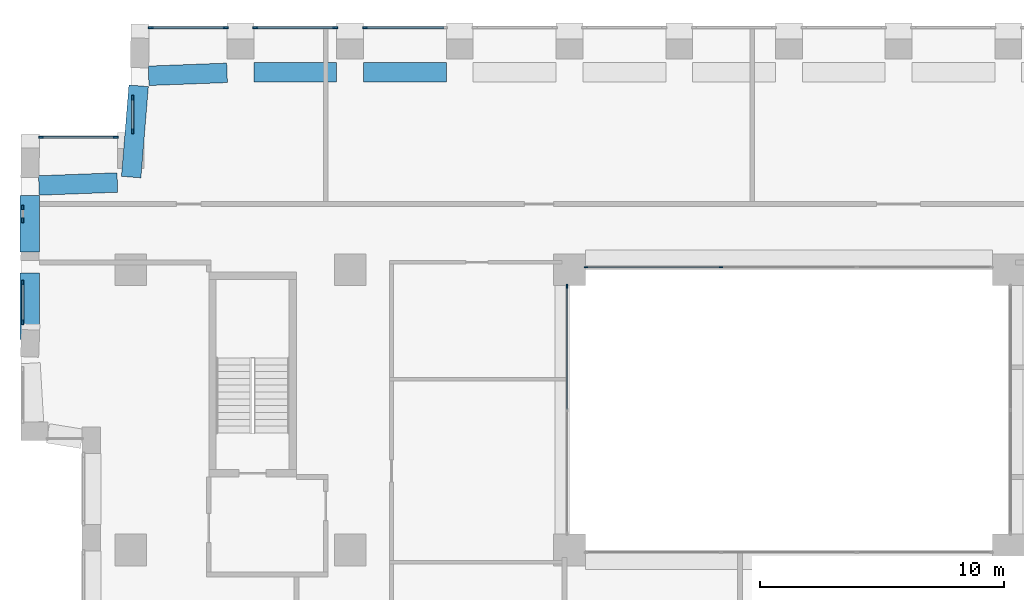
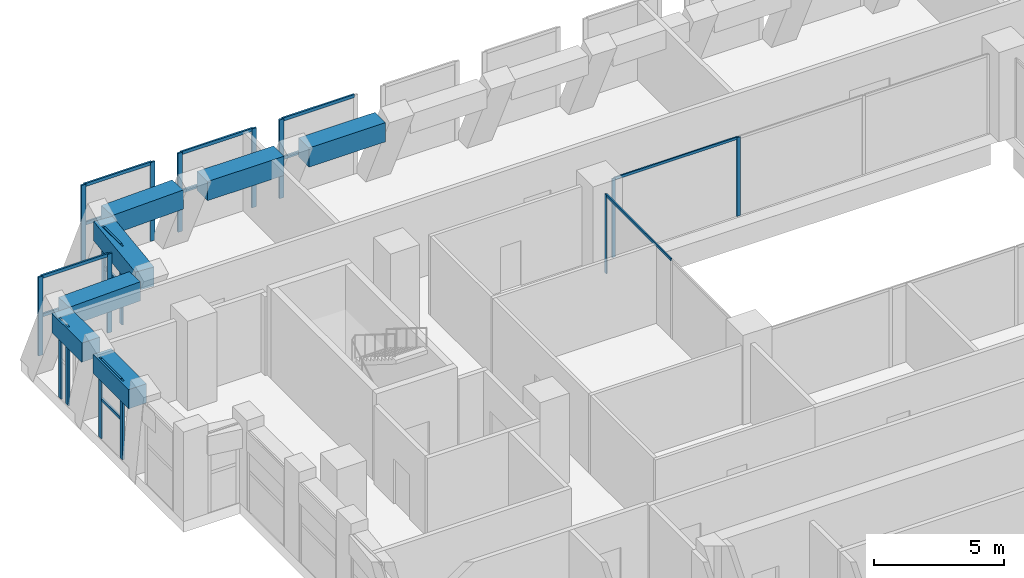
# One storey, part 7 of 20: 30 members, 7 beams, 9 elements without a shape of their own.
"""IFC4 building model written with IfcOpenShell, lengths in metres."""

from ifc_helpers import new_model, si_unit, direction, frame, origin, origin_2d, place, context, subcontext, project, spatial, rectangle, extrude, material, layer, layer_set, material_profile, profile_set, type_object, element, aggregate, save


model = new_model("IFC4")

# Units and contexts
model_context = context("Model", 3, precision=1e-05, world=origin(), true_north=direction((0.0, 1.0)))
body_context = subcontext(model_context, "Body", "Model", "MODEL_VIEW")
ifc_project = project(units=[si_unit("LENGTHUNIT", "METRE"), si_unit("AREAUNIT", "SQUARE_METRE"), si_unit("VOLUMEUNIT", "CUBIC_METRE"), si_unit("PLANEANGLEUNIT", "RADIAN"), si_unit("MASSUNIT", "GRAM", prefix="KILO")], contexts=[model_context])

# Site, building, storey
site_placement = place(None, origin())
site = spatial("IfcSite", under=ifc_project, at=site_placement, CompositionType="ELEMENT")
building_placement = place(site_placement, origin())
building = spatial("IfcBuilding", under=site, at=building_placement, Name="Brigalow Station Residences", CompositionType="ELEMENT")
storey_placement = place(building_placement, frame((0.0, 0.0, 137.10009765625)))
storey = spatial("IfcBuildingStorey", under=building, at=storey_placement, Name="L39", CompositionType="ELEMENT", Elevation=137.10009765625)

# Curtain wall, members
ifc_material_1 = material(Name="Aluminium", Category="aluminium")
ifc_layer_1 = layer(ifc_material_1, 0.14990234375)
ifc_layer_set_1 = layer_set([ifc_layer_1], Name="ATRIUM FIRE-RATED GLAZING CURTAIN WALL")
curtain_wall_type_1 = type_object("IfcCurtainWallType", Name="ATRIUM FIRE-RATED GLAZING CURTAIN WALL", PredefinedType="NOTDEFINED", material=ifc_layer_set_1)
curtain_wall_1_placement = place(storey_placement, origin())
curtain_wall_1 = element("IfcCurtainWall", 1, at=curtain_wall_1_placement, inside=storey, type_object=curtain_wall_type_1, Name="L39/cw/atrium-N", PredefinedType="NOTDEFINED")
ifc_material_2 = material(Name="Aluminium", Category="aluminium")
ifc_material_profile_1 = material_profile(ifc_material_2, rectangle(XDim=0.06005859375, YDim=0.14990234375, at=origin_2d()), Name="ATRIUM FIRE-RATED GLAZING MULLION 60x150")
ifc_profile_set_1 = profile_set([ifc_material_profile_1], Name="Aluminium")
member_type_1 = type_object("IfcMemberType", Name="ATRIUM FIRE-RATED GLAZING MULLION 60x150", PredefinedType="MULLION", material=ifc_profile_set_1)
member_1_placement = place(storey_placement, frame((33.216796875, 35.60009765625, 0.0), z_axis=(0.0, 0.0, 1.0), x_axis=(0.0, -1.0, 0.0)))
member_1 = element("IfcMember", 2, at=member_1_placement, type_object=member_type_1, Name="L39/cw/atrium-N/M02", PredefinedType="MULLION", context=body_context, shape_type="SweptSolid", body=[
    extrude(rectangle(XDim=0.06005859375, YDim=0.14990234375, at=origin_2d()), origin(), (0.0, 0.0, 1.0), 3.699951171875),
])
member_2_placement = place(storey_placement, frame((27.679931640625, 35.60009765625, 0.0), z_axis=(0.0, 0.0, 1.0), x_axis=(0.0, -1.0, 0.0)))
member_2 = element("IfcMember", 3, at=member_2_placement, type_object=member_type_1, Name="L39/cw/atrium-N/M03", PredefinedType="MULLION", context=body_context, shape_type="SweptSolid", body=[
    extrude(rectangle(XDim=0.06005859375, YDim=0.14990234375, at=origin_2d()), origin(), (0.0, 0.0, 1.0), 3.699951171875),
])

# Curtain wall, member
curtain_wall_2_placement = place(storey_placement, origin())
curtain_wall_2 = element("IfcCurtainWall", 4, at=curtain_wall_2_placement, inside=storey, type_object=curtain_wall_type_1, Name="L39/cw/atrium-W", PredefinedType="NOTDEFINED")
member_3_placement = place(storey_placement, frame((26.89990234375, 34.820068359375, 0.0), z_axis=(0.0, 0.0, 1.0), x_axis=(1.0, 0.0, 0.0)))
member_3 = element("IfcMember", 5, at=member_3_placement, type_object=member_type_1, Name="L39/cw/atrium-W/M00", PredefinedType="MULLION", context=body_context, shape_type="SweptSolid", body=[
    extrude(rectangle(XDim=0.06005859375, YDim=0.14990234375, at=origin_2d()), origin(), (0.0, 0.0, 1.0), 3.699951171875),
])

# Member
ifc_material_3 = material(Name="Aluminium", Category="aluminium")
ifc_material_profile_2 = material_profile(ifc_material_3, rectangle(XDim=0.06005859375, YDim=0.1201171875, at=origin_2d()), Name="ATRIUM FIRE-RATED GLAZING TRANSOM 60x120")
ifc_profile_set_2 = profile_set([ifc_material_profile_2], Name="Aluminium")
member_type_2 = type_object("IfcMemberType", Name="ATRIUM FIRE-RATED GLAZING TRANSOM 60x120", PredefinedType="USERDEFINED", material=ifc_profile_set_2)
member_4_placement = place(storey_placement, frame((33.186767578125, 35.60009765625, 3.669921875), z_axis=(-1.0, 0.0, 0.0), x_axis=(0.0, -1.0, 0.0)))
member_4 = element("IfcMember", 6, at=member_4_placement, type_object=member_type_2, Name="L39/cw/atrium-N/T02-00", ObjectType="TRANSOM", PredefinedType="USERDEFINED", context=body_context, shape_type="SweptSolid", body=[
    extrude(rectangle(XDim=0.06005859375, YDim=0.1201171875, at=origin_2d()), origin(), (0.0, 0.0, 1.0), 5.476806640625),
])

aggregate(curtain_wall_1, [member_1, member_2, member_4])

member_5_placement = place(storey_placement, frame((26.89990234375, 34.7900390625, 3.669921875), z_axis=(0.0, -1.0, 0.0), x_axis=(1.0, 0.0, 0.0)))
member_5 = element("IfcMember", 7, at=member_5_placement, type_object=member_type_2, Name="L39/cw/atrium-W/T00-00", ObjectType="TRANSOM", PredefinedType="USERDEFINED", context=body_context, shape_type="SweptSolid", body=[
    extrude(rectangle(XDim=0.06005859375, YDim=0.1201171875, at=origin_2d()), origin(), (0.0, 0.0, 1.0), 5.010009765625),
])

aggregate(curtain_wall_2, [member_3, member_5])

# Beams
ifc_material_4 = material(Name="Concrete C65", Category="concrete")
ifc_material_profile_3 = material_profile(ifc_material_4, rectangle(XDim=0.800048828125, YDim=0.89990234375, at=origin_2d()), Name="RC800x900")
ifc_profile_set_3 = profile_set([ifc_material_profile_3], Name="Concrete C65")
beam_type = type_object("IfcBeamType", Name="KINK TIE BEAM 800x900 C65", PredefinedType="BEAM", material=ifc_profile_set_3)
for number, where, z_axis, x_axis, name in (
    (8, (21.949951171875, 43.5966796875, 3.25), (-1.0, 0.0, 0.0), (0.0, -1.0, 0.0), "KINK TIE BEAM 29 L39"),
    (9, (17.449951171875, 43.5966796875, 3.25), (-1.0, 0.0, 0.0), (0.0, -1.0, 0.0), "KINK TIE BEAM 30 L39"),
):
    element("IfcBeam", number, at=place(storey_placement, frame(where, z_axis=z_axis, x_axis=x_axis)), inside=storey, type_object=beam_type, Name=name, PredefinedType="BEAM", context=body_context, shape_type="SweptSolid", body=[
        extrude(rectangle(XDim=0.800048828125, YDim=0.89990234375, at=origin_2d()), origin(), (0.0, 0.0, 1.0), 3.39990234375),
    ])
beam_1_placement = place(storey_placement, frame((12.949951171875, 43.576171875, 3.25), z_axis=(-0.999293174119, -0.037591916144, 0.0), x_axis=(0.037591916144, -0.999293174119, 0.0)))
element("IfcBeam", 10, at=beam_1_placement, inside=storey, type_object=beam_type, Name="KINK TIE BEAM 31 L39", PredefinedType="BEAM", context=body_context, shape_type="SweptSolid", body=[
    extrude(rectangle(XDim=0.800048828125, YDim=0.89990234375, at=origin_2d()), origin(), (0.0, 0.0, 1.0), 3.22119140625),
])
beam_2_placement = place(storey_placement, frame((9.3232421875, 43.0439453125, 3.25), z_axis=(-0.081620223015, -0.996663503493, 0.0), x_axis=(0.996663503493, -0.081620223015, 0.0)))
element("IfcBeam", 11, at=beam_2_placement, inside=storey, type_object=beam_type, Name="KINK TIE BEAM 32 L39", PredefinedType="BEAM", context=body_context, shape_type="SweptSolid", body=[
    extrude(rectangle(XDim=0.800048828125, YDim=0.89990234375, at=origin_2d()), origin(), (0.0, 0.0, 1.0), 3.7568359375),
])
beam_3_placement = place(storey_placement, frame((8.449951171875, 39.076171875, 3.25), z_axis=(-0.999293174119, -0.037591916144, 0.0), x_axis=(0.037591916144, -0.999293174119, 0.0)))
element("IfcBeam", 12, at=beam_3_placement, inside=storey, type_object=beam_type, Name="KINK TIE BEAM 33 L39", PredefinedType="BEAM", context=body_context, shape_type="SweptSolid", body=[
    extrude(rectangle(XDim=0.800048828125, YDim=0.89990234375, at=origin_2d()), origin(), (0.0, 0.0, 1.0), 3.22119140625),
])
beam_4_placement = place(storey_placement, frame((4.855712890625, 38.543701171875, 3.25), z_axis=(0.0, -1.0, 0.0), x_axis=(1.0, 0.0, 0.0)))
element("IfcBeam", 13, at=beam_4_placement, inside=storey, type_object=beam_type, Name="KINK TIE BEAM 34 L39", PredefinedType="BEAM", context=body_context, shape_type="SweptSolid", body=[
    extrude(rectangle(XDim=0.800048828125, YDim=0.89990234375, at=origin_2d()), origin(), (0.0, 0.0, 1.0), 2.30810546875),
])
beam_5_placement = place(storey_placement, frame((4.855712890625, 35.3671875, 3.25), z_axis=(0.0, -1.0, 0.0), x_axis=(1.0, 0.0, 0.0)))
element("IfcBeam", 14, at=beam_5_placement, inside=storey, type_object=beam_type, Name="KINK TIE BEAM 35 L39", PredefinedType="BEAM", context=body_context, shape_type="SweptSolid", body=[
    extrude(rectangle(XDim=0.800048828125, YDim=0.89990234375, at=origin_2d()), origin(), (0.0, 0.0, 1.0), 2.73046875),
])

# Curtain wall, member
ifc_material_5 = material(Name="Aluminium", Category="aluminium")
ifc_layer_2 = layer(ifc_material_5, 0.199951171875)
ifc_layer_set_2 = layer_set([ifc_layer_2], Name="REFUGE FLOOR LOUVRE CURTAIN WALL")
curtain_wall_type_2 = type_object("IfcCurtainWallType", Name="REFUGE FLOOR LOUVRE CURTAIN WALL", PredefinedType="NOTDEFINED", material=ifc_layer_set_2)
curtain_wall_3_placement = place(storey_placement, origin())
curtain_wall_3 = element("IfcCurtainWall", 15, at=curtain_wall_3_placement, inside=storey, type_object=curtain_wall_type_2, Name="L39/cw/louvre-W-L39-23-31", PredefinedType="NOTDEFINED")
ifc_material_6 = material(Name="Aluminium", Category="aluminium")
ifc_material_profile_4 = material_profile(ifc_material_6, rectangle(XDim=0.080078125, YDim=0.199951171875, at=origin_2d()), Name="REFUGE FLOOR LOUVRE MULLION 80x200")
ifc_profile_set_4 = profile_set([ifc_material_profile_4], Name="Aluminium")
member_type_3 = type_object("IfcMemberType", Name="REFUGE FLOOR LOUVRE MULLION 80x200", PredefinedType="MULLION", material=ifc_profile_set_4)
member_6_placement = place(storey_placement, frame((18.610107421875, 45.425048828125, 0.0), z_axis=(0.0, 0.0, 1.0), x_axis=(0.0, -1.0, 0.0)))
member_6 = element("IfcMember", 16, at=member_6_placement, type_object=member_type_3, Name="L39/cw/louvre-W-L39-23-31/M01", PredefinedType="MULLION", context=body_context, shape_type="SweptSolid", body=[
    extrude(rectangle(XDim=0.080078125, YDim=0.199951171875, at=origin_2d()), origin(), (0.0, 0.0, 1.0), 3.699951171875),
])

# Curtain wall, members
curtain_wall_4_placement = place(storey_placement, origin())
curtain_wall_4 = element("IfcCurtainWall", 17, at=curtain_wall_4_placement, inside=storey, type_object=curtain_wall_type_2, Name="L39/cw/louvre-W-L39-23-32", PredefinedType="NOTDEFINED")
member_7_placement = place(storey_placement, frame((17.389892578125, 45.425048828125, 0.0), z_axis=(0.0, 0.0, 1.0), x_axis=(0.0, -1.0, 0.0)))
member_7 = element("IfcMember", 18, at=member_7_placement, type_object=member_type_3, Name="L39/cw/louvre-W-L39-23-32/M00", PredefinedType="MULLION", context=body_context, shape_type="SweptSolid", body=[
    extrude(rectangle(XDim=0.080078125, YDim=0.199951171875, at=origin_2d()), origin(), (0.0, 0.0, 1.0), 3.699951171875),
])
member_8_placement = place(storey_placement, frame((14.110107421875, 45.425048828125, 0.0), z_axis=(0.0, 0.0, 1.0), x_axis=(0.0, -1.0, 0.0)))
member_8 = element("IfcMember", 19, at=member_8_placement, type_object=member_type_3, Name="L39/cw/louvre-W-L39-23-32/M01", PredefinedType="MULLION", context=body_context, shape_type="SweptSolid", body=[
    extrude(rectangle(XDim=0.080078125, YDim=0.199951171875, at=origin_2d()), origin(), (0.0, 0.0, 1.0), 3.699951171875),
])

curtain_wall_5_placement = place(storey_placement, origin())
curtain_wall_5 = element("IfcCurtainWall", 20, at=curtain_wall_5_placement, inside=storey, type_object=curtain_wall_type_2, Name="L39/cw/louvre-W-L39-23-33", PredefinedType="NOTDEFINED")
member_9_placement = place(storey_placement, frame((12.889892578125, 45.425048828125, 0.0), z_axis=(0.0, 0.0, 1.0), x_axis=(0.0, -1.0, 0.0)))
member_9 = element("IfcMember", 21, at=member_9_placement, type_object=member_type_3, Name="L39/cw/louvre-W-L39-23-33/M00", PredefinedType="MULLION", context=body_context, shape_type="SweptSolid", body=[
    extrude(rectangle(XDim=0.080078125, YDim=0.199951171875, at=origin_2d()), origin(), (0.0, 0.0, 1.0), 3.699951171875),
])
member_10_placement = place(storey_placement, frame((9.816162109375, 45.425048828125, 0.0), z_axis=(0.0, 0.0, 1.0), x_axis=(0.0, -1.0, 0.0)))
member_10 = element("IfcMember", 22, at=member_10_placement, type_object=member_type_3, Name="L39/cw/louvre-W-L39-23-33/M01", PredefinedType="MULLION", context=body_context, shape_type="SweptSolid", body=[
    extrude(rectangle(XDim=0.080078125, YDim=0.199951171875, at=origin_2d()), origin(), (0.0, 0.0, 1.0), 3.699951171875),
])

curtain_wall_6_placement = place(storey_placement, origin())
curtain_wall_6 = element("IfcCurtainWall", 23, at=curtain_wall_6_placement, inside=storey, type_object=curtain_wall_type_2, Name="L39/cw/louvre-W-L39-37-34", PredefinedType="NOTDEFINED")
member_11_placement = place(storey_placement, frame((9.074951171875, 42.55322265625, 0.0), z_axis=(0.0, 0.0, 1.0), x_axis=(1.0, 0.0, 0.0)))
member_11 = element("IfcMember", 24, at=member_11_placement, type_object=member_type_3, Name="L39/cw/louvre-W-L39-37-34/M00", PredefinedType="MULLION", context=body_context, shape_type="SweptSolid", body=[
    extrude(rectangle(XDim=0.080078125, YDim=0.199951171875, at=origin_2d()), origin(), (0.0, 0.0, 1.0), 3.699951171875),
])
member_12_placement = place(storey_placement, frame((9.074951171875, 41.18359375, 0.0), z_axis=(0.0, 0.0, 1.0), x_axis=(1.0, 0.0, 0.0)))
member_12 = element("IfcMember", 25, at=member_12_placement, type_object=member_type_3, Name="L39/cw/louvre-W-L39-37-34/M01", PredefinedType="MULLION", context=body_context, shape_type="SweptSolid", body=[
    extrude(rectangle(XDim=0.080078125, YDim=0.199951171875, at=origin_2d()), origin(), (0.0, 0.0, 1.0), 3.699951171875),
])

curtain_wall_7_placement = place(storey_placement, origin())
curtain_wall_7 = element("IfcCurtainWall", 26, at=curtain_wall_7_placement, inside=storey, type_object=curtain_wall_type_2, Name="L39/cw/louvre-W-L39-38-35", PredefinedType="NOTDEFINED")
member_13_placement = place(storey_placement, frame((8.389892578125, 40.925048828125, 0.0), z_axis=(0.0, 0.0, 1.0), x_axis=(0.0, -1.0, 0.0)))
member_13 = element("IfcMember", 27, at=member_13_placement, type_object=member_type_3, Name="L39/cw/louvre-W-L39-38-35/M00", PredefinedType="MULLION", context=body_context, shape_type="SweptSolid", body=[
    extrude(rectangle(XDim=0.080078125, YDim=0.199951171875, at=origin_2d()), origin(), (0.0, 0.0, 1.0), 3.699951171875),
])
member_14_placement = place(storey_placement, frame((5.316162109375, 40.925048828125, 0.0), z_axis=(0.0, 0.0, 1.0), x_axis=(0.0, -1.0, 0.0)))
member_14 = element("IfcMember", 28, at=member_14_placement, type_object=member_type_3, Name="L39/cw/louvre-W-L39-38-35/M01", PredefinedType="MULLION", context=body_context, shape_type="SweptSolid", body=[
    extrude(rectangle(XDim=0.080078125, YDim=0.199951171875, at=origin_2d()), origin(), (0.0, 0.0, 1.0), 3.699951171875),
])

curtain_wall_8_placement = place(storey_placement, origin())
curtain_wall_8 = element("IfcCurtainWall", 29, at=curtain_wall_8_placement, inside=storey, type_object=curtain_wall_type_2, Name="L39/cw/louvre-W-L39-39-36", PredefinedType="NOTDEFINED")
member_15_placement = place(storey_placement, frame((4.574951171875, 38.05322265625, 0.0), z_axis=(0.0, 0.0, 1.0), x_axis=(1.0, 0.0, 0.0)))
member_15 = element("IfcMember", 30, at=member_15_placement, type_object=member_type_3, Name="L39/cw/louvre-W-L39-39-36/M00", PredefinedType="MULLION", context=body_context, shape_type="SweptSolid", body=[
    extrude(rectangle(XDim=0.080078125, YDim=0.199951171875, at=origin_2d()), origin(), (0.0, 0.0, 1.0), 3.699951171875),
])
member_16_placement = place(storey_placement, frame((4.574951171875, 37.5283203125, 0.0), z_axis=(0.0, 0.0, 1.0), x_axis=(1.0, 0.0, 0.0)))
member_16 = element("IfcMember", 31, at=member_16_placement, type_object=member_type_3, Name="L39/cw/louvre-W-L39-39-36/M01", PredefinedType="MULLION", context=body_context, shape_type="SweptSolid", body=[
    extrude(rectangle(XDim=0.080078125, YDim=0.199951171875, at=origin_2d()), origin(), (0.0, 0.0, 1.0), 3.699951171875),
])
aggregate(curtain_wall_8, [member_15, member_16])

curtain_wall_9_placement = place(storey_placement, origin())
curtain_wall_9 = element("IfcCurtainWall", 32, at=curtain_wall_9_placement, inside=storey, type_object=curtain_wall_type_2, Name="L39/cw/louvre-W-L39-39-37", PredefinedType="NOTDEFINED")
member_17_placement = place(storey_placement, frame((4.574951171875, 34.974365234375, 0.0), z_axis=(0.0, 0.0, 1.0), x_axis=(1.0, 0.0, 0.0)))
member_17 = element("IfcMember", 33, at=member_17_placement, type_object=member_type_3, Name="L39/cw/louvre-W-L39-39-37/M00", PredefinedType="MULLION", context=body_context, shape_type="SweptSolid", body=[
    extrude(rectangle(XDim=0.080078125, YDim=0.199951171875, at=origin_2d()), origin(), (0.0, 0.0, 1.0), 3.699951171875),
])
member_18_placement = place(storey_placement, frame((4.574951171875, 33.347412109375, 0.0), z_axis=(0.0, 0.0, 1.0), x_axis=(1.0, 0.0, 0.0)))
member_18 = element("IfcMember", 34, at=member_18_placement, type_object=member_type_3, Name="L39/cw/louvre-W-L39-39-37/M01", PredefinedType="MULLION", context=body_context, shape_type="SweptSolid", body=[
    extrude(rectangle(XDim=0.080078125, YDim=0.199951171875, at=origin_2d()), origin(), (0.0, 0.0, 1.0), 3.699951171875),
])

# Member
ifc_material_7 = material(Name="Aluminium", Category="aluminium")
ifc_material_profile_5 = material_profile(ifc_material_7, rectangle(XDim=0.080078125, YDim=0.14990234375, at=origin_2d()), Name="REFUGE FLOOR LOUVRE TRANSOM 80x150")
ifc_profile_set_5 = profile_set([ifc_material_profile_5], Name="Aluminium")
member_type_4 = type_object("IfcMemberType", Name="REFUGE FLOOR LOUVRE TRANSOM 80x150", PredefinedType="USERDEFINED", material=ifc_profile_set_5)
member_19_placement = place(storey_placement, frame((21.85009765625, 45.425048828125, 1.849853515625), z_axis=(-1.0, 0.0, 0.0), x_axis=(0.0, -1.0, 0.0)))
member_19 = element("IfcMember", 35, at=member_19_placement, type_object=member_type_4, Name="L39/cw/louvre-W-L39-23-31/T00-00", ObjectType="TRANSOM", PredefinedType="USERDEFINED", context=body_context, shape_type="SweptSolid", body=[
    extrude(rectangle(XDim=0.080078125, YDim=0.14990234375, at=origin_2d()), origin(), (0.0, 0.0, 1.0), 3.2001953125),
])

member_20_placement = place(storey_placement, frame((21.85009765625, 45.425048828125, 3.659912109375), z_axis=(-1.0, 0.0, 0.0), x_axis=(0.0, -1.0, 0.0)))
member_20 = element("IfcMember", 36, at=member_20_placement, type_object=member_type_4, Name="L39/cw/louvre-W-L39-23-31/T00-01", ObjectType="TRANSOM", PredefinedType="USERDEFINED", context=body_context, shape_type="SweptSolid", body=[
    extrude(rectangle(XDim=0.080078125, YDim=0.14990234375, at=origin_2d()), origin(), (0.0, 0.0, 1.0), 3.2001953125),
])

aggregate(curtain_wall_3, [member_6, member_19, member_20])

member_21_placement = place(storey_placement, frame((17.35009765625, 45.425048828125, 1.849853515625), z_axis=(-1.0, 0.0, 0.0), x_axis=(0.0, -1.0, 0.0)))
member_21 = element("IfcMember", 37, at=member_21_placement, type_object=member_type_4, Name="L39/cw/louvre-W-L39-23-32/T00-00", ObjectType="TRANSOM", PredefinedType="USERDEFINED", context=body_context, shape_type="SweptSolid", body=[
    extrude(rectangle(XDim=0.080078125, YDim=0.14990234375, at=origin_2d()), origin(), (0.0, 0.0, 1.0), 3.2001953125),
])

member_22_placement = place(storey_placement, frame((17.35009765625, 45.425048828125, 3.659912109375), z_axis=(-1.0, 0.0, 0.0), x_axis=(0.0, -1.0, 0.0)))
member_22 = element("IfcMember", 38, at=member_22_placement, type_object=member_type_4, Name="L39/cw/louvre-W-L39-23-32/T00-01", ObjectType="TRANSOM", PredefinedType="USERDEFINED", context=body_context, shape_type="SweptSolid", body=[
    extrude(rectangle(XDim=0.080078125, YDim=0.14990234375, at=origin_2d()), origin(), (0.0, 0.0, 1.0), 3.2001953125),
])

aggregate(curtain_wall_4, [member_7, member_8, member_21, member_22])

member_23_placement = place(storey_placement, frame((12.85009765625, 45.425048828125, 1.849853515625), z_axis=(-1.0, 0.0, 0.0), x_axis=(0.0, -1.0, 0.0)))
member_23 = element("IfcMember", 39, at=member_23_placement, type_object=member_type_4, Name="L39/cw/louvre-W-L39-23-33/T00-00", ObjectType="TRANSOM", PredefinedType="USERDEFINED", context=body_context, shape_type="SweptSolid", body=[
    extrude(rectangle(XDim=0.080078125, YDim=0.14990234375, at=origin_2d()), origin(), (0.0, 0.0, 1.0), 2.993896484375),
])

member_24_placement = place(storey_placement, frame((12.85009765625, 45.425048828125, 3.659912109375), z_axis=(-1.0, 0.0, 0.0), x_axis=(0.0, -1.0, 0.0)))
member_24 = element("IfcMember", 40, at=member_24_placement, type_object=member_type_4, Name="L39/cw/louvre-W-L39-23-33/T00-01", ObjectType="TRANSOM", PredefinedType="USERDEFINED", context=body_context, shape_type="SweptSolid", body=[
    extrude(rectangle(XDim=0.080078125, YDim=0.14990234375, at=origin_2d()), origin(), (0.0, 0.0, 1.0), 2.993896484375),
])

aggregate(curtain_wall_5, [member_9, member_10, member_23, member_24])

member_25_placement = place(storey_placement, frame((9.074951171875, 42.51318359375, 1.849853515625), z_axis=(0.0, -1.0, 0.0), x_axis=(1.0, 0.0, 0.0)))
member_25 = element("IfcMember", 41, at=member_25_placement, type_object=member_type_4, Name="L39/cw/louvre-W-L39-37-34/T00-00", ObjectType="TRANSOM", PredefinedType="USERDEFINED", context=body_context, shape_type="SweptSolid", body=[
    extrude(rectangle(XDim=0.080078125, YDim=0.14990234375, at=origin_2d()), origin(), (0.0, 0.0, 1.0), 1.289794921875),
])

member_26_placement = place(storey_placement, frame((9.074951171875, 42.51318359375, 3.659912109375), z_axis=(0.0, -1.0, 0.0), x_axis=(1.0, 0.0, 0.0)))
member_26 = element("IfcMember", 42, at=member_26_placement, type_object=member_type_4, Name="L39/cw/louvre-W-L39-37-34/T00-01", ObjectType="TRANSOM", PredefinedType="USERDEFINED", context=body_context, shape_type="SweptSolid", body=[
    extrude(rectangle(XDim=0.080078125, YDim=0.14990234375, at=origin_2d()), origin(), (0.0, 0.0, 1.0), 1.289794921875),
])

aggregate(curtain_wall_6, [member_11, member_12, member_25, member_26])

member_27_placement = place(storey_placement, frame((8.35009765625, 40.925048828125, 1.849853515625), z_axis=(-1.0, 0.0, 0.0), x_axis=(0.0, -1.0, 0.0)))
member_27 = element("IfcMember", 43, at=member_27_placement, type_object=member_type_4, Name="L39/cw/louvre-W-L39-38-35/T00-00", ObjectType="TRANSOM", PredefinedType="USERDEFINED", context=body_context, shape_type="SweptSolid", body=[
    extrude(rectangle(XDim=0.080078125, YDim=0.14990234375, at=origin_2d()), origin(), (0.0, 0.0, 1.0), 2.993896484375),
])

member_28_placement = place(storey_placement, frame((8.35009765625, 40.925048828125, 3.659912109375), z_axis=(-1.0, 0.0, 0.0), x_axis=(0.0, -1.0, 0.0)))
member_28 = element("IfcMember", 44, at=member_28_placement, type_object=member_type_4, Name="L39/cw/louvre-W-L39-38-35/T00-01", ObjectType="TRANSOM", PredefinedType="USERDEFINED", context=body_context, shape_type="SweptSolid", body=[
    extrude(rectangle(XDim=0.080078125, YDim=0.14990234375, at=origin_2d()), origin(), (0.0, 0.0, 1.0), 2.993896484375),
])

aggregate(curtain_wall_7, [member_13, member_14, member_27, member_28])

member_29_placement = place(storey_placement, frame((4.574951171875, 34.934326171875, 1.849853515625), z_axis=(0.0, -1.0, 0.0), x_axis=(1.0, 0.0, 0.0)))
member_29 = element("IfcMember", 45, at=member_29_placement, type_object=member_type_4, Name="L39/cw/louvre-W-L39-39-37/T00-00", ObjectType="TRANSOM", PredefinedType="USERDEFINED", context=body_context, shape_type="SweptSolid", body=[
    extrude(rectangle(XDim=0.080078125, YDim=0.14990234375, at=origin_2d()), origin(), (0.0, 0.0, 1.0), 1.547119140625),
])

member_30_placement = place(storey_placement, frame((4.574951171875, 34.934326171875, 3.659912109375), z_axis=(0.0, -1.0, 0.0), x_axis=(1.0, 0.0, 0.0)))
member_30 = element("IfcMember", 46, at=member_30_placement, type_object=member_type_4, Name="L39/cw/louvre-W-L39-39-37/T00-01", ObjectType="TRANSOM", PredefinedType="USERDEFINED", context=body_context, shape_type="SweptSolid", body=[
    extrude(rectangle(XDim=0.080078125, YDim=0.14990234375, at=origin_2d()), origin(), (0.0, 0.0, 1.0), 1.547119140625),
])

aggregate(curtain_wall_9, [member_17, member_18, member_29, member_30])

save(model, "model.ifc")
